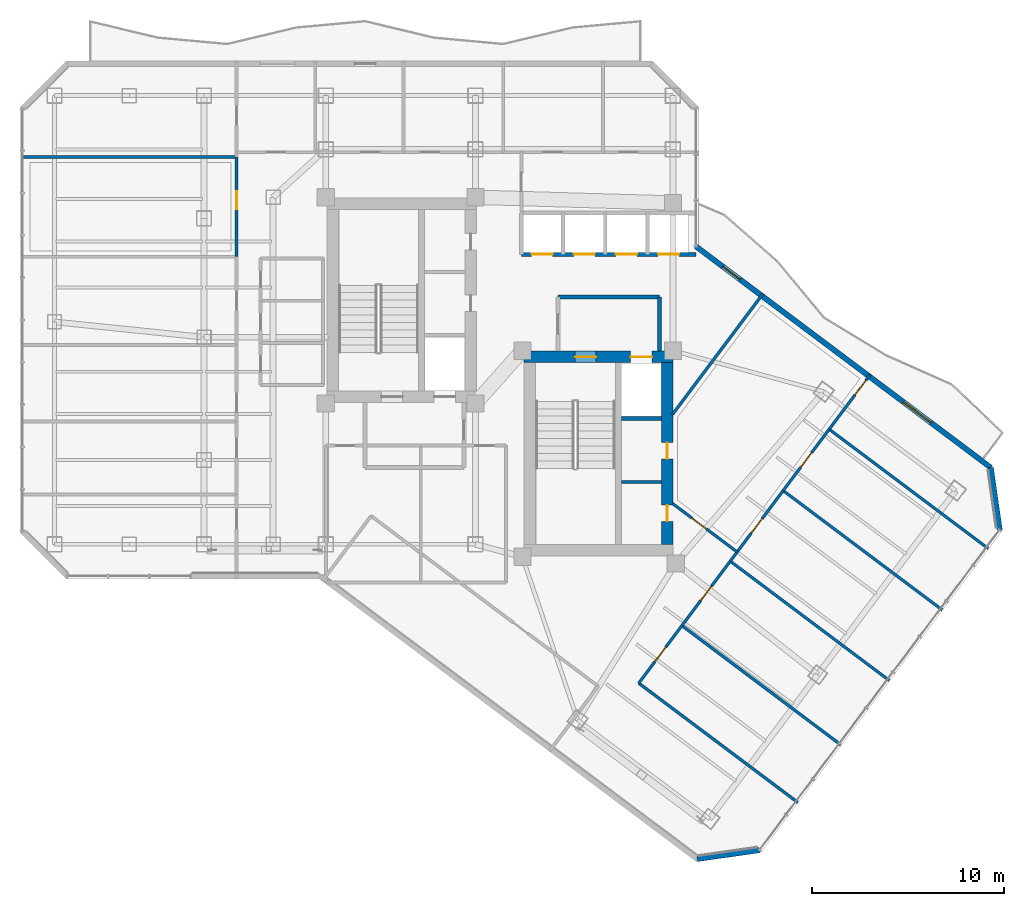
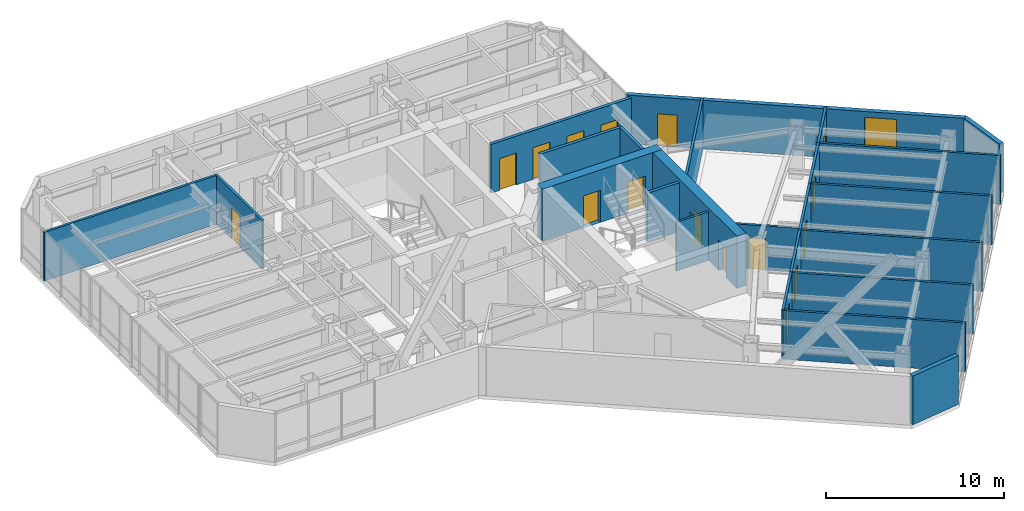
# One storey, part 23 of 27: 24 walls, 16 doors, 1 window, 17 openings.
"""IFC4 building model written with IfcOpenShell, lengths in metres."""

from ifc_helpers import new_model, si_unit, direction, frame, frame_2d, origin, place, context, subcontext, project, spatial, rectangle, extrude, material, layer, layer_set, type_object, element, fill, save


model = new_model("IFC4")

# Units and contexts
model_context = context("Model", 3, precision=1e-05, world=origin(), true_north=direction((0.0, 1.0)))
body_context = subcontext(model_context, "Body", "Model", "MODEL_VIEW")
ifc_project = project(units=[si_unit("LENGTHUNIT", "METRE"), si_unit("AREAUNIT", "SQUARE_METRE"), si_unit("VOLUMEUNIT", "CUBIC_METRE"), si_unit("PLANEANGLEUNIT", "RADIAN"), si_unit("MASSUNIT", "GRAM", prefix="KILO")], contexts=[model_context])

# Site, building, storey
site_placement = place(None, origin())
site = spatial("IfcSite", under=ifc_project, at=site_placement, CompositionType="ELEMENT")
building_placement = place(site_placement, origin())
building = spatial("IfcBuilding", under=site, at=building_placement, Name="Hatsunagi Terrace Concourse", CompositionType="ELEMENT")
storey_placement = place(building_placement, frame((0.0, 0.0, 167.25)))
storey = spatial("IfcBuildingStorey", under=building, at=storey_placement, Name="L44", CompositionType="ELEMENT", Elevation=167.25)

# Wall, openings, doors
ifc_material_1 = material(Name="Concrete Fc48", Category="concrete")
ifc_layer_1 = layer(ifc_material_1, 0.60009765625)
ifc_layer_set_1 = layer_set([ifc_layer_1], Name="CoreShearWall_Fc48_600")
wall_type_1 = type_object("IfcWallType", Name="CoreShearWall_Fc48_600", PredefinedType="SHEAR", material=ifc_layer_set_1)
wall_1_placement = place(storey_placement, frame((35.889892578125, 34.969970703125, 0.0), z_axis=(0.0, 0.0, 1.0), x_axis=(1.0, 0.0, 0.0)))
wall_1 = element("IfcWall", 1, at=wall_1_placement, inside=storey, type_object=wall_type_1, Name="Core B Shear Wall N L44", PredefinedType="SHEAR", context=body_context, shape_type="SweptSolid", body=[
    extrude(rectangle(XDim=7.760009765625, YDim=0.60009765625, at=frame_2d((3.8798828125, 0.0))), origin(), (0.0, 0.0, 1.0), 3.60009765625),
])
opening_1_placement = place(wall_1_placement, frame((2.659912109375, 0.0, 0.0)))
opening_1 = element("IfcOpeningElement", 2, at=opening_1_placement, cuts=wall_1, Name="Opening DR-110S", PredefinedType="OPENING", context=body_context, shape_type="SweptSolid", body=[
    extrude(rectangle(XDim=1.10009765625, YDim=2.199951171875, at=frame_2d((0.550048828125, 1.10009765625))), frame((0.0, 0.31005859375, 0.0), z_axis=(0.0, -1.0, 0.0), x_axis=(1.0, 0.0, 0.0)), (0.0, 0.0, 1.0), 0.6201171875),
])
opening_2_placement = place(wall_1_placement, frame((5.56005859375, 0.0, 0.0)))
opening_2 = element("IfcOpeningElement", 3, at=opening_2_placement, cuts=wall_1, Name="Opening LD-02", PredefinedType="OPENING", context=body_context, shape_type="SweptSolid", body=[
    extrude(rectangle(XDim=1.1201171875, YDim=2.14990234375, at=frame_2d((0.56005859375, 1.074951171875))), frame((0.0, 0.31005859375, 0.0), z_axis=(0.0, -1.0, 0.0), x_axis=(1.0, 0.0, 0.0)), (0.0, 0.0, 1.0), 0.6201171875),
])
ifc_material_2 = material(Name="Stainless steel", Category="steel")
door_type_1 = type_object("IfcDoorType", Name="LiftLandingDoor_LD02", OperationType="SLIDING_TO_RIGHT", PredefinedType="USERDEFINED", material=ifc_material_2)
door_1_placement = place(opening_2_placement, origin())
door_1 = element("IfcDoor", 4, at=door_1_placement, inside=storey, type_object=door_type_1, Name="Lift landing door FF-02 L44", ObjectType="SLIDING_LANDING_DOOR", OperationType="SLIDING_TO_RIGHT", OverallHeight=2.14990234375, OverallWidth=1.1201171875, PredefinedType="USERDEFINED", context=body_context, shape_type="SweptSolid", body=[
    extrude(rectangle(XDim=1.1201171875, YDim=2.14990234375, at=frame_2d((0.56005859375, 1.074951171875))), frame((0.0, 0.02490234375, 0.0), z_axis=(0.0, -1.0, 0.0), x_axis=(1.0, 0.0, 0.0)), (0.0, 0.0, 1.0), 0.050048828125),
])
fill(opening_2, door_1)
ifc_material_3 = material(Name="Painted steel", Category="steel")
door_type_2 = type_object("IfcDoorType", Name="StairFireDoor_EI60_1100", OperationType="NOTDEFINED", PredefinedType="DOOR", material=ifc_material_3)
door_2_placement = place(opening_1_placement, origin())
door_2 = element("IfcDoor", 5, at=door_2_placement, inside=storey, type_object=door_type_2, Name="Stair ST-B Exit Door L44", OperationType="SINGLE_SWING_RIGHT", OverallHeight=2.199951171875, OverallWidth=1.10009765625, PredefinedType="DOOR", context=body_context, shape_type="SweptSolid", body=[
    extrude(rectangle(XDim=1.10009765625, YDim=2.199951171875, at=frame_2d((0.550048828125, 1.10009765625))), frame((0.0, 0.02490234375, 0.0), z_axis=(0.0, -1.0, 0.0), x_axis=(1.0, 0.0, 0.0)), (0.0, 0.0, 1.0), 0.050048828125),
])
fill(opening_1, door_2)

wall_2_placement = place(storey_placement, frame((43.35009765625, 25.18994140625, 0.0), z_axis=(0.0, 0.0, 1.0), x_axis=(0.0, 1.0, 0.0)))
wall_2 = element("IfcWall", 6, at=wall_2_placement, inside=storey, type_object=wall_type_1, Name="Core B Shear Wall E L44", PredefinedType="SHEAR", context=body_context, shape_type="SweptSolid", body=[
    extrude(rectangle(XDim=9.47998046875, YDim=0.60009765625, at=frame_2d((4.739990234375, 0.0))), origin(), (0.0, 0.0, 1.0), 3.60009765625),
])
opening_3_placement = place(wall_2_placement, frame((1.2099609375, 0.0, 0.0)))
opening_3 = element("IfcOpeningElement", 7, at=opening_3_placement, cuts=wall_2, Name="Opening DR-085", PredefinedType="OPENING", context=body_context, shape_type="SweptSolid", body=[
    extrude(rectangle(XDim=0.85009765625, YDim=2.080078125, at=frame_2d((0.425048828125, 1.0400390625))), frame((0.0, 0.31005859375, 0.0), z_axis=(0.0, -1.0, 0.0), x_axis=(1.0, 0.0, 0.0)), (0.0, 0.0, 1.0), 0.6201171875),
])
opening_4_placement = place(wall_2_placement, frame((4.4599609375, 0.0, 0.0)))
opening_4 = element("IfcOpeningElement", 8, at=opening_4_placement, cuts=wall_2, Name="Opening DR-085", PredefinedType="OPENING", context=body_context, shape_type="SweptSolid", body=[
    extrude(rectangle(XDim=0.85009765625, YDim=2.080078125, at=frame_2d((0.425048828125, 1.0400390625))), frame((0.0, 0.31005859375, 0.0), z_axis=(0.0, -1.0, 0.0), x_axis=(1.0, 0.0, 0.0)), (0.0, 0.0, 1.0), 0.6201171875),
])
ifc_material_4 = material(Name="Painted steel", Category="steel")
door_type_3 = type_object("IfcDoorType", Name="RiserAccessDoor_EI60_850", OperationType="NOTDEFINED", PredefinedType="DOOR", material=ifc_material_4)
door_3_placement = place(opening_3_placement, origin())
door_3 = element("IfcDoor", 9, at=door_3_placement, inside=storey, type_object=door_type_3, Name="Core B Riser Door L44-1", OperationType="SINGLE_SWING_RIGHT", OverallHeight=2.080078125, OverallWidth=0.85009765625, PredefinedType="DOOR", context=body_context, shape_type="SweptSolid", body=[
    extrude(rectangle(XDim=0.85009765625, YDim=2.080078125, at=frame_2d((0.425048828125, 1.0400390625))), frame((0.0, 0.02490234375, 0.0), z_axis=(0.0, -1.0, 0.0), x_axis=(1.0, 0.0, 0.0)), (0.0, 0.0, 1.0), 0.050048828125),
])
fill(opening_3, door_3)
door_4_placement = place(opening_4_placement, origin())
door_4 = element("IfcDoor", 10, at=door_4_placement, inside=storey, type_object=door_type_3, Name="Core B Riser Door L44-2", OperationType="SINGLE_SWING_RIGHT", OverallHeight=2.080078125, OverallWidth=0.85009765625, PredefinedType="DOOR", context=body_context, shape_type="SweptSolid", body=[
    extrude(rectangle(XDim=0.85009765625, YDim=2.080078125, at=frame_2d((0.425048828125, 1.0400390625))), frame((0.0, 0.02490234375, 0.0), z_axis=(0.0, -1.0, 0.0), x_axis=(1.0, 0.0, 0.0)), (0.0, 0.0, 1.0), 0.050048828125),
])
fill(opening_4, door_4)

# Walls
ifc_material_5 = material(Name="Acoustic mineral board", Category="gypsum")
ifc_layer_2 = layer(ifc_material_5, 0.14990234375)
ifc_layer_set_2 = layer_set([ifc_layer_2], Name="PartitionWall_EI60_150")
wall_type_2 = type_object("IfcWallType", Name="PartitionWall_EI60_150", PredefinedType="PARTITIONING", material=ifc_layer_set_2)
wall_3_placement = place(storey_placement, frame((40.969970703125, 28.449951171875, 0.0), z_axis=(0.0, 0.0, 1.0), x_axis=(1.0, 0.0, 0.0)))
element("IfcWall", 11, at=wall_3_placement, inside=storey, type_object=wall_type_2, Name="Interior Partition IW-L44-004", PredefinedType="PARTITIONING", context=body_context, shape_type="SweptSolid", body=[
    extrude(rectangle(XDim=2.080078125, YDim=0.14990234375, at=frame_2d((1.0400390625, 0.0))), origin(), (0.0, 0.0, 1.0), 3.35009765625),
])
wall_4_placement = place(storey_placement, frame((9.639892578125, 45.39990234375, 0.0), z_axis=(0.0, 0.0, 1.0), x_axis=(1.0, 0.0, 0.0)))
element("IfcWall", 12, at=wall_4_placement, inside=storey, type_object=wall_type_2, Name="Interior Partition IW-L44-040", PredefinedType="PARTITIONING", context=body_context, shape_type="SweptSolid", body=[
    extrude(rectangle(XDim=11.260009765625, YDim=0.14990234375, at=frame_2d((5.6298828125, 0.0))), origin(), (0.0, 0.0, 1.0), 3.35009765625),
])

# Wall, opening, door
wall_5_placement = place(storey_placement, frame((20.89990234375, 40.199951171875, 0.0), z_axis=(0.0, 0.0, 1.0), x_axis=(0.0, 1.0, 0.0)))
wall_5 = element("IfcWall", 13, at=wall_5_placement, inside=storey, type_object=wall_type_2, Name="Interior Partition IW-L44-041", PredefinedType="PARTITIONING", context=body_context, shape_type="SweptSolid", body=[
    extrude(rectangle(XDim=5.199951171875, YDim=0.14990234375, at=frame_2d((2.60009765625, 0.0))), origin(), (0.0, 0.0, 1.0), 3.35009765625),
])
opening_5_placement = place(wall_5_placement, frame((2.47412109375, 0.0, 0.0)))
opening_5 = element("IfcOpeningElement", 14, at=opening_5_placement, cuts=wall_5, Name="Opening DR-095", PredefinedType="OPENING", context=body_context, shape_type="SweptSolid", body=[
    extrude(rectangle(XDim=0.949951171875, YDim=2.14990234375, at=frame_2d((0.47509765625, 1.074951171875))), frame((0.0, 0.0849609375, 0.0), z_axis=(0.0, -1.0, 0.0), x_axis=(1.0, 0.0, 0.0)), (0.0, 0.0, 1.0), 0.169921875),
])
ifc_material_6 = material(Name="Hardwood timber", Category="wood")
door_type_4 = type_object("IfcDoorType", Name="InteriorSuiteDoor_EI30_950", OperationType="NOTDEFINED", PredefinedType="DOOR", material=ifc_material_6)
door_5_placement = place(opening_5_placement, origin())
door_5 = element("IfcDoor", 15, at=door_5_placement, inside=storey, type_object=door_type_4, Name="Executive Office L44-OW5 Door", OperationType="SINGLE_SWING_LEFT", OverallHeight=2.14990234375, OverallWidth=0.949951171875, PredefinedType="DOOR", context=body_context, shape_type="SweptSolid", body=[
    extrude(rectangle(XDim=0.949951171875, YDim=2.14990234375, at=frame_2d((0.47509765625, 1.074951171875))), frame((0.0, 0.02490234375, 0.0), z_axis=(0.0, -1.0, 0.0), x_axis=(1.0, 0.0, 0.0)), (0.0, 0.0, 1.0), 0.050048828125),
])
fill(opening_5, door_5)

# Walls
for number, where, z_axis, x_axis, name in (
    (16, (41.8701171875, 17.9599609375, 0.0), (0.0, 0.0, 1.0), (0.799991516197, -0.600011311571, 0.0), "Interior Partition IW-L44-052"),
    (17, (44.1201171875, 20.9599609375, 0.0), (0.0, 0.0, 1.0), (0.799991516197, -0.600011311571, 0.0), "Interior Partition IW-L44-053"),
):
    element("IfcWall", number, at=place(storey_placement, frame(where, z_axis=z_axis, x_axis=x_axis)), inside=storey, type_object=wall_type_2, Name=name, PredefinedType="PARTITIONING", context=body_context, shape_type="SweptSolid", body=[
        extrude(rectangle(XDim=10.35986328125, YDim=0.14990234375, at=frame_2d((5.179931640625, 0.0))), origin(), (0.0, 0.0, 1.0), 3.35009765625),
    ])

# Wall, opening, door
wall_6_placement = place(storey_placement, frame((41.8701171875, 17.9599609375, 0.0), z_axis=(0.0, 0.0, 1.0), x_axis=(0.6, 0.8, 0.0)))
wall_6 = element("IfcWall", 18, at=wall_6_placement, inside=storey, type_object=wall_type_2, Name="Interior Partition IW-L44-054", PredefinedType="PARTITIONING", context=body_context, shape_type="SweptSolid", body=[
    extrude(rectangle(XDim=3.75, YDim=0.14990234375, at=frame_2d((1.875, 0.0))), origin(), (0.0, 0.0, 1.0), 3.35009765625),
])
opening_6_placement = place(wall_6_placement, frame((1.39990234375, 0.0, 0.0)))
opening_6 = element("IfcOpeningElement", 19, at=opening_6_placement, cuts=wall_6, Name="Opening DR-095", PredefinedType="OPENING", context=body_context, shape_type="SweptSolid", body=[
    extrude(rectangle(XDim=0.949951171875, YDim=2.14990234375, at=frame_2d((0.47509765625, 1.074951171875))), frame((0.0, 0.0849609375, 0.0), z_axis=(0.0, -1.0, 0.0), x_axis=(1.0, 0.0, 0.0)), (0.0, 0.0, 1.0), 0.169921875),
])
door_6_placement = place(opening_6_placement, origin())
door_6 = element("IfcDoor", 20, at=door_6_placement, inside=storey, type_object=door_type_4, Name="Focus Room L44-OSE1 Door", OperationType="SINGLE_SWING_RIGHT", OverallHeight=2.14990234375, OverallWidth=0.949951171875, PredefinedType="DOOR", context=body_context, shape_type="SweptSolid", body=[
    extrude(rectangle(XDim=0.949951171875, YDim=2.14990234375, at=frame_2d((0.47509765625, 1.074951171875))), frame((0.0, 0.02490234375, 0.0), z_axis=(0.0, -1.0, 0.0), x_axis=(1.0, 0.0, 0.0)), (0.0, 0.0, 1.0), 0.050048828125),
])
fill(opening_6, door_6)

# Wall
wall_7_placement = place(storey_placement, frame((46.639892578125, 24.320068359375, 0.0), z_axis=(0.0, 0.0, 1.0), x_axis=(0.8, -0.6, 0.0)))
element("IfcWall", 21, at=wall_7_placement, inside=storey, type_object=wall_type_2, Name="Interior Partition IW-L44-055", PredefinedType="PARTITIONING", context=body_context, shape_type="SweptSolid", body=[
    extrude(rectangle(XDim=10.360107421875, YDim=0.14990234375, at=frame_2d((5.18017578125, 0.0))), origin(), (0.0, 0.0, 1.0), 3.35009765625),
])

# Wall, opening, door
wall_8_placement = place(storey_placement, frame((44.1201171875, 20.9599609375, 0.0), z_axis=(0.0, 0.0, 1.0), x_axis=(0.59995349547, 0.800034876286, 0.0)))
wall_8 = element("IfcWall", 22, at=wall_8_placement, inside=storey, type_object=wall_type_2, Name="Interior Partition IW-L44-056", PredefinedType="PARTITIONING", context=body_context, shape_type="SweptSolid", body=[
    extrude(rectangle(XDim=4.199951171875, YDim=0.14990234375, at=frame_2d((2.10009765625, 0.0))), origin(), (0.0, 0.0, 1.0), 3.35009765625),
])
opening_7_placement = place(wall_8_placement, frame((1.625, 0.0, 0.0)))
opening_7 = element("IfcOpeningElement", 23, at=opening_7_placement, cuts=wall_8, Name="Opening DR-095", PredefinedType="OPENING", context=body_context, shape_type="SweptSolid", body=[
    extrude(rectangle(XDim=0.949951171875, YDim=2.14990234375, at=frame_2d((0.47509765625, 1.074951171875))), frame((0.0, 0.0849609375, 0.0), z_axis=(0.0, -1.0, 0.0), x_axis=(1.0, 0.0, 0.0)), (0.0, 0.0, 1.0), 0.169921875),
])
door_7_placement = place(opening_7_placement, origin())
door_7 = element("IfcDoor", 24, at=door_7_placement, inside=storey, type_object=door_type_4, Name="Executive Office L44-OSE2 Door", OperationType="SINGLE_SWING_RIGHT", OverallHeight=2.14990234375, OverallWidth=0.949951171875, PredefinedType="DOOR", context=body_context, shape_type="SweptSolid", body=[
    extrude(rectangle(XDim=0.949951171875, YDim=2.14990234375, at=frame_2d((0.47509765625, 1.074951171875))), frame((0.0, 0.02490234375, 0.0), z_axis=(0.0, -1.0, 0.0), x_axis=(1.0, 0.0, 0.0)), (0.0, 0.0, 1.0), 0.050048828125),
])
fill(opening_7, door_7)

# Wall
wall_9_placement = place(storey_placement, frame((49.39990234375, 28.0, 0.0), z_axis=(0.0, 0.0, 1.0), x_axis=(0.8, -0.6, 0.0)))
element("IfcWall", 25, at=wall_9_placement, inside=storey, type_object=wall_type_2, Name="Interior Partition IW-L44-057", PredefinedType="PARTITIONING", context=body_context, shape_type="SweptSolid", body=[
    extrude(rectangle(XDim=10.360107421875, YDim=0.14990234375, at=frame_2d((5.18017578125, 0.0))), origin(), (0.0, 0.0, 1.0), 3.35009765625),
])

# Wall, opening, door
wall_10_placement = place(storey_placement, frame((46.639892578125, 24.320068359375, 0.0), z_axis=(0.0, 0.0, 1.0), x_axis=(0.600008491904, 0.799993631001, 0.0)))
wall_10 = element("IfcWall", 26, at=wall_10_placement, inside=storey, type_object=wall_type_2, Name="Interior Partition IW-L44-058", PredefinedType="PARTITIONING", context=body_context, shape_type="SweptSolid", body=[
    extrude(rectangle(XDim=4.599853515625, YDim=0.14990234375, at=frame_2d((2.2998046875, 0.0))), origin(), (0.0, 0.0, 1.0), 3.35009765625),
])
opening_8_placement = place(wall_10_placement, frame((1.824951171875, 0.0, 0.0)))
opening_8 = element("IfcOpeningElement", 27, at=opening_8_placement, cuts=wall_10, Name="Opening DR-095", PredefinedType="OPENING", context=body_context, shape_type="SweptSolid", body=[
    extrude(rectangle(XDim=0.949951171875, YDim=2.14990234375, at=frame_2d((0.47509765625, 1.074951171875))), frame((0.0, 0.0849609375, 0.0), z_axis=(0.0, -1.0, 0.0), x_axis=(1.0, 0.0, 0.0)), (0.0, 0.0, 1.0), 0.169921875),
])
door_8_placement = place(opening_8_placement, origin())
door_8 = element("IfcDoor", 28, at=door_8_placement, inside=storey, type_object=door_type_4, Name="Focus Room L44-OSE3 Door", OperationType="SINGLE_SWING_RIGHT", OverallHeight=2.14990234375, OverallWidth=0.949951171875, PredefinedType="DOOR", context=body_context, shape_type="SweptSolid", body=[
    extrude(rectangle(XDim=0.949951171875, YDim=2.14990234375, at=frame_2d((0.47509765625, 1.074951171875))), frame((0.0, 0.02490234375, 0.0), z_axis=(0.0, -1.0, 0.0), x_axis=(1.0, 0.0, 0.0)), (0.0, 0.0, 1.0), 0.050048828125),
])
fill(opening_8, door_8)

# Wall
wall_11_placement = place(storey_placement, frame((51.800048828125, 31.199951171875, 0.0), z_axis=(0.0, 0.0, 1.0), x_axis=(0.799991516197, -0.600011311571, 0.0)))
element("IfcWall", 29, at=wall_11_placement, inside=storey, type_object=wall_type_2, Name="Interior Partition IW-L44-059", PredefinedType="PARTITIONING", context=body_context, shape_type="SweptSolid", body=[
    extrude(rectangle(XDim=10.35986328125, YDim=0.14990234375, at=frame_2d((5.179931640625, 0.0))), origin(), (0.0, 0.0, 1.0), 3.35009765625),
])

# Wall, opening, door
wall_12_placement = place(storey_placement, frame((49.39990234375, 28.0, 0.0), z_axis=(0.0, 0.0, 1.0), x_axis=(0.600029296115, 0.799978027076, 0.0)))
wall_12 = element("IfcWall", 30, at=wall_12_placement, inside=storey, type_object=wall_type_2, Name="Interior Partition IW-L44-060", PredefinedType="PARTITIONING", context=body_context, shape_type="SweptSolid", body=[
    extrude(rectangle(XDim=4.0, YDim=0.14990234375, at=frame_2d((2.0, 0.0))), origin(), (0.0, 0.0, 1.0), 3.35009765625),
])
opening_9_placement = place(wall_12_placement, frame((1.52490234375, 0.0, 0.0)))
opening_9 = element("IfcOpeningElement", 31, at=opening_9_placement, cuts=wall_12, Name="Opening DR-095", PredefinedType="OPENING", context=body_context, shape_type="SweptSolid", body=[
    extrude(rectangle(XDim=0.949951171875, YDim=2.14990234375, at=frame_2d((0.47509765625, 1.074951171875))), frame((0.0, 0.0849609375, 0.0), z_axis=(0.0, -1.0, 0.0), x_axis=(1.0, 0.0, 0.0)), (0.0, 0.0, 1.0), 0.169921875),
])
door_9_placement = place(opening_9_placement, origin())
door_9 = element("IfcDoor", 32, at=door_9_placement, inside=storey, type_object=door_type_4, Name="Executive Office L44-OSE4 Door", OperationType="SINGLE_SWING_RIGHT", OverallHeight=2.14990234375, OverallWidth=0.949951171875, PredefinedType="DOOR", context=body_context, shape_type="SweptSolid", body=[
    extrude(rectangle(XDim=0.949951171875, YDim=2.14990234375, at=frame_2d((0.47509765625, 1.074951171875))), frame((0.0, 0.02490234375, 0.0), z_axis=(0.0, -1.0, 0.0), x_axis=(1.0, 0.0, 0.0)), (0.0, 0.0, 1.0), 0.050048828125),
])
fill(opening_9, door_9)

wall_13_placement = place(storey_placement, frame((51.800048828125, 31.199951171875, 0.0), z_axis=(0.0, 0.0, 1.0), x_axis=(0.599978055212, 0.800016458121, 0.0)))
wall_13 = element("IfcWall", 33, at=wall_13_placement, inside=storey, type_object=wall_type_2, Name="Interior Partition IW-L44-061", PredefinedType="PARTITIONING", context=body_context, shape_type="SweptSolid", body=[
    extrude(rectangle(XDim=3.56005859375, YDim=0.14990234375, at=frame_2d((1.780029296875, 0.0))), origin(), (0.0, 0.0, 1.0), 3.35009765625),
])
opening_10_placement = place(wall_13_placement, frame((2.22998046875, 0.0, 0.0)))
opening_10 = element("IfcOpeningElement", 34, at=opening_10_placement, cuts=wall_13, Name="Opening DR-095", PredefinedType="OPENING", context=body_context, shape_type="SweptSolid", body=[
    extrude(rectangle(XDim=0.949951171875, YDim=2.14990234375, at=frame_2d((0.47509765625, 1.074951171875))), frame((0.0, 0.0849609375, 0.0), z_axis=(0.0, -1.0, 0.0), x_axis=(1.0, 0.0, 0.0)), (0.0, 0.0, 1.0), 0.169921875),
])
door_10_placement = place(opening_10_placement, origin())
door_10 = element("IfcDoor", 35, at=door_10_placement, inside=storey, type_object=door_type_4, Name="Focus Room L44-OSE5 Door", OperationType="SINGLE_SWING_RIGHT", OverallHeight=2.14990234375, OverallWidth=0.949951171875, PredefinedType="DOOR", context=body_context, shape_type="SweptSolid", body=[
    extrude(rectangle(XDim=0.949951171875, YDim=2.14990234375, at=frame_2d((0.47509765625, 1.074951171875))), frame((0.0, 0.02490234375, 0.0), z_axis=(0.0, -1.0, 0.0), x_axis=(1.0, 0.0, 0.0)), (0.0, 0.0, 1.0), 0.050048828125),
])
fill(opening_10, door_10)

wall_14_placement = place(storey_placement, frame((43.6298828125, 27.327880859375, 0.0), z_axis=(0.0, 0.0, 1.0), x_axis=(0.799972182084, -0.600037088764, 0.0)))
wall_14 = element("IfcWall", 36, at=wall_14_placement, inside=storey, type_object=wall_type_2, Name="Interior Partition IW-L44-062", PredefinedType="PARTITIONING", context=body_context, shape_type="SweptSolid", body=[
    extrude(rectangle(XDim=4.212890625, YDim=0.14990234375, at=frame_2d((2.1064453125, 0.0))), origin(), (0.0, 0.0, 1.0), 3.044921875),
])
opening_11_placement = place(wall_14_placement, frame((1.256103515625, 0.0, 0.0)))
opening_11 = element("IfcOpeningElement", 37, at=opening_11_placement, cuts=wall_14, Name="Opening DR-095", PredefinedType="OPENING", context=body_context, shape_type="SweptSolid", body=[
    extrude(rectangle(XDim=0.949951171875, YDim=2.14990234375, at=frame_2d((0.47509765625, 1.074951171875))), frame((0.0, 0.0849609375, 0.0), z_axis=(0.0, -1.0, 0.0), x_axis=(1.0, 0.0, 0.0)), (0.0, 0.0, 1.0), 0.169921875),
])
door_11_placement = place(opening_11_placement, origin())
door_11 = element("IfcDoor", 38, at=door_11_placement, inside=storey, type_object=door_type_4, Name="Collaboration Lounge L44-OSEN0 Door", OperationType="SINGLE_SWING_LEFT", OverallHeight=2.14990234375, OverallWidth=0.949951171875, PredefinedType="DOOR", context=body_context, shape_type="SweptSolid", body=[
    extrude(rectangle(XDim=0.949951171875, YDim=2.14990234375, at=frame_2d((0.47509765625, 1.074951171875))), frame((0.0, 0.02490234375, 0.0), z_axis=(0.0, -1.0, 0.0), x_axis=(1.0, 0.0, 0.0)), (0.0, 0.0, 1.0), 0.050048828125),
])
fill(opening_11, door_11)

# Walls
wall_15_placement = place(storey_placement, frame((43.6298828125, 31.972900390625, 0.0), z_axis=(0.0, 0.0, 1.0), x_axis=(0.599975099311, 0.800018674911, 0.0)))
element("IfcWall", 39, at=wall_15_placement, inside=storey, type_object=wall_type_2, Name="Interior Partition IW-L44-063", PredefinedType="PARTITIONING", context=body_context, shape_type="SweptSolid", body=[
    extrude(rectangle(XDim=7.84375, YDim=0.14990234375, at=frame_2d((3.921875, 0.0))), origin(), (0.0, 0.0, 1.0), 3.35009765625),
])
ifc_material_7 = material(Name="Acoustic mineral board", Category="gypsum")
ifc_layer_3 = layer(ifc_material_7, 0.199951171875)
ifc_layer_set_3 = layer_set([ifc_layer_3], Name="ShaftWall_EI120_200")
wall_type_3 = type_object("IfcWallType", Name="ShaftWall_EI120_200", PredefinedType="STANDARD", material=ifc_layer_set_3)
wall_16_placement = place(storey_placement, frame((40.969970703125, 31.760009765625, 0.0), z_axis=(0.0, 0.0, 1.0), x_axis=(1.0, 0.0, 0.0)))
element("IfcWall", 40, at=wall_16_placement, inside=storey, type_object=wall_type_3, Name="Interior Partition IW-L44-003", PredefinedType="STANDARD", context=body_context, shape_type="SweptSolid", body=[
    extrude(rectangle(XDim=2.080078125, YDim=0.199951171875, at=frame_2d((1.0400390625, 0.0))), origin(), (0.0, 0.0, 1.0), 3.35009765625),
])
wall_17_placement = place(storey_placement, frame((37.64990234375, 38.10009765625, 0.0), z_axis=(0.0, 0.0, 1.0), x_axis=(1.0, 0.0, 0.0)))
element("IfcWall", 41, at=wall_17_placement, inside=storey, type_object=wall_type_3, Name="Interior Partition IW-L44-008", PredefinedType="STANDARD", context=body_context, shape_type="SweptSolid", body=[
    extrude(rectangle(XDim=5.300048828125, YDim=0.199951171875, at=frame_2d((2.64990234375, 0.0))), origin(), (0.0, 0.0, 1.0), 3.35009765625),
])
wall_18_placement = place(storey_placement, frame((42.949951171875, 35.27001953125, 0.0), z_axis=(0.0, 0.0, 1.0), x_axis=(0.0, 1.0, 0.0)))
element("IfcWall", 42, at=wall_18_placement, inside=storey, type_object=wall_type_3, Name="Interior Partition IW-L44-009", PredefinedType="STANDARD", context=body_context, shape_type="SweptSolid", body=[
    extrude(rectangle(XDim=2.830078125, YDim=0.199951171875, at=frame_2d((1.4150390625, 0.0))), origin(), (0.0, 0.0, 1.0), 3.35009765625),
])

# Wall, openings, doors
wall_19_placement = place(storey_placement, frame((35.75, 40.320068359375, 0.0), z_axis=(0.0, 0.0, 1.0), x_axis=(1.0, 0.0, 0.0)))
wall_19 = element("IfcWall", 43, at=wall_19_placement, inside=storey, type_object=wall_type_3, Name="Interior Partition IW-L44-016", PredefinedType="STANDARD", context=body_context, shape_type="SweptSolid", body=[
    extrude(rectangle(XDim=9.110107421875, YDim=0.199951171875, at=frame_2d((4.55517578125, 0.0))), origin(), (0.0, 0.0, 1.0), 3.35009765625),
])
opening_12_placement = place(wall_19_placement, frame((0.530029296875, 0.0, 0.0)))
opening_12 = element("IfcOpeningElement", 44, at=opening_12_placement, cuts=wall_19, Name="Opening LD-04", PredefinedType="OPENING", context=body_context, shape_type="SweptSolid", body=[
    extrude(rectangle(XDim=1.10009765625, YDim=2.179931640625, at=frame_2d((0.550048828125, 1.08984375))), frame((0.0, 0.10986328125, 0.0), z_axis=(0.0, -1.0, 0.0), x_axis=(1.0, 0.0, 0.0)), (0.0, 0.0, 1.0), 0.219970703125),
])
opening_13_placement = place(wall_19_placement, frame((2.72998046875, 0.0, 0.0)))
opening_13 = element("IfcOpeningElement", 45, at=opening_13_placement, cuts=wall_19, Name="Opening LD-04", PredefinedType="OPENING", context=body_context, shape_type="SweptSolid", body=[
    extrude(rectangle(XDim=1.10009765625, YDim=2.179931640625, at=frame_2d((0.550048828125, 1.08984375))), frame((0.0, 0.10986328125, 0.0), z_axis=(0.0, -1.0, 0.0), x_axis=(1.0, 0.0, 0.0)), (0.0, 0.0, 1.0), 0.219970703125),
])
opening_14_placement = place(wall_19_placement, frame((4.929931640625, 0.0, 0.0)))
opening_14 = element("IfcOpeningElement", 46, at=opening_14_placement, cuts=wall_19, Name="Opening LD-04", PredefinedType="OPENING", context=body_context, shape_type="SweptSolid", body=[
    extrude(rectangle(XDim=1.10009765625, YDim=2.179931640625, at=frame_2d((0.550048828125, 1.08984375))), frame((0.0, 0.10986328125, 0.0), z_axis=(0.0, -1.0, 0.0), x_axis=(1.0, 0.0, 0.0)), (0.0, 0.0, 1.0), 0.219970703125),
])
opening_15_placement = place(wall_19_placement, frame((7.1298828125, 0.0, 0.0)))
opening_15 = element("IfcOpeningElement", 47, at=opening_15_placement, cuts=wall_19, Name="Opening LD-04", PredefinedType="OPENING", context=body_context, shape_type="SweptSolid", body=[
    extrude(rectangle(XDim=1.10009765625, YDim=2.179931640625, at=frame_2d((0.550048828125, 1.08984375))), frame((0.0, 0.10986328125, 0.0), z_axis=(0.0, -1.0, 0.0), x_axis=(1.0, 0.0, 0.0)), (0.0, 0.0, 1.0), 0.219970703125),
])
ifc_material_8 = material(Name="Stainless steel", Category="steel")
door_type_5 = type_object("IfcDoorType", Name="LiftLandingDoor_LD04", OperationType="SLIDING_TO_RIGHT", PredefinedType="USERDEFINED", material=ifc_material_8)
door_12_placement = place(opening_12_placement, origin())
door_12 = element("IfcDoor", 48, at=door_12_placement, inside=storey, type_object=door_type_5, Name="Lift landing door PL-05 L44", ObjectType="SLIDING_LANDING_DOOR", OperationType="SLIDING_TO_RIGHT", OverallHeight=2.179931640625, OverallWidth=1.10009765625, PredefinedType="USERDEFINED", context=body_context, shape_type="SweptSolid", body=[
    extrude(rectangle(XDim=1.10009765625, YDim=2.179931640625, at=frame_2d((0.550048828125, 1.08984375))), frame((0.0, 0.02490234375, 0.0), z_axis=(0.0, -1.0, 0.0), x_axis=(1.0, 0.0, 0.0)), (0.0, 0.0, 1.0), 0.050048828125),
])
fill(opening_12, door_12)
door_13_placement = place(opening_13_placement, origin())
door_13 = element("IfcDoor", 49, at=door_13_placement, inside=storey, type_object=door_type_5, Name="Lift landing door PL-06 L44", ObjectType="SLIDING_LANDING_DOOR", OperationType="SLIDING_TO_RIGHT", OverallHeight=2.179931640625, OverallWidth=1.10009765625, PredefinedType="USERDEFINED", context=body_context, shape_type="SweptSolid", body=[
    extrude(rectangle(XDim=1.10009765625, YDim=2.179931640625, at=frame_2d((0.550048828125, 1.08984375))), frame((0.0, 0.02490234375, 0.0), z_axis=(0.0, -1.0, 0.0), x_axis=(1.0, 0.0, 0.0)), (0.0, 0.0, 1.0), 0.050048828125),
])
fill(opening_13, door_13)
door_14_placement = place(opening_14_placement, origin())
door_14 = element("IfcDoor", 50, at=door_14_placement, inside=storey, type_object=door_type_5, Name="Lift landing door PL-07 L44", ObjectType="SLIDING_LANDING_DOOR", OperationType="SLIDING_TO_RIGHT", OverallHeight=2.179931640625, OverallWidth=1.10009765625, PredefinedType="USERDEFINED", context=body_context, shape_type="SweptSolid", body=[
    extrude(rectangle(XDim=1.10009765625, YDim=2.179931640625, at=frame_2d((0.550048828125, 1.08984375))), frame((0.0, 0.02490234375, 0.0), z_axis=(0.0, -1.0, 0.0), x_axis=(1.0, 0.0, 0.0)), (0.0, 0.0, 1.0), 0.050048828125),
])
fill(opening_14, door_14)
door_15_placement = place(opening_15_placement, origin())
door_15 = element("IfcDoor", 51, at=door_15_placement, inside=storey, type_object=door_type_5, Name="Lift landing door PL-08 L44", ObjectType="SLIDING_LANDING_DOOR", OperationType="SLIDING_TO_RIGHT", OverallHeight=2.179931640625, OverallWidth=1.10009765625, PredefinedType="USERDEFINED", context=body_context, shape_type="SweptSolid", body=[
    extrude(rectangle(XDim=1.10009765625, YDim=2.179931640625, at=frame_2d((0.550048828125, 1.08984375))), frame((0.0, 0.02490234375, 0.0), z_axis=(0.0, -1.0, 0.0), x_axis=(1.0, 0.0, 0.0)), (0.0, 0.0, 1.0), 0.050048828125),
])
fill(opening_15, door_15)

# Wall, openings, door, window
ifc_material_9 = material(Name="Autoclaved Lightweight Concrete and Terracotta Cladding", Category="masonry")
ifc_layer_4 = layer(ifc_material_9, 0.280029296875)
ifc_layer_set_4 = layer_set([ifc_layer_4], Name="TerracottaSpandrelWall_280")
wall_type_4 = type_object("IfcWallType", Name="TerracottaSpandrelWall_280", PredefinedType="STANDARD", material=ifc_layer_set_4)
wall_20_placement = place(storey_placement, frame((44.860107421875, 40.72998046875, 0.0), z_axis=(0.0, 0.0, 1.0), x_axis=(0.800007624502, -0.599989833863, 0.0)))
wall_20 = element("IfcWall", 52, at=wall_20_placement, inside=storey, type_object=wall_type_4, Name="Exterior Spandrel Wall EW-L44-01", PredefinedType="STANDARD", context=body_context, shape_type="SweptSolid", body=[
    extrude(rectangle(XDim=19.212158203125, YDim=0.280029296875, at=frame_2d((9.60595703125, 0.0))), origin(), (0.0, 0.0, 1.0), 3.35009765625),
])
opening_16_placement = place(wall_20_placement, frame((1.7548828125, 0.0, 0.0)))
opening_16 = element("IfcOpeningElement", 53, at=opening_16_placement, cuts=wall_20, Name="Opening BD-01", PredefinedType="OPENING", context=body_context, shape_type="SweptSolid", body=[
    extrude(rectangle(XDim=1.10009765625, YDim=2.199951171875, at=frame_2d((0.550048828125, 1.10009765625))), frame((0.0, 0.14990234375, 0.0), z_axis=(0.0, -1.0, 0.0), x_axis=(1.0, 0.0, 0.0)), (0.0, 0.0, 1.0), 0.300048828125),
])
opening_17_placement = place(wall_20_placement, frame((13.509033203125, 0.0, 0.85009765625)))
opening_17 = element("IfcOpeningElement", 54, at=opening_17_placement, cuts=wall_20, Name="Opening WIN-03", PredefinedType="OPENING", context=body_context, shape_type="SweptSolid", body=[
    extrude(rectangle(XDim=1.800048828125, YDim=2.10009765625, at=frame_2d((0.89990234375, 1.050048828125))), frame((0.0, 0.14990234375, 0.0), z_axis=(0.0, -1.0, 0.0), x_axis=(1.0, 0.0, 0.0)), (0.0, 0.0, 1.0), 0.300048828125),
])
ifc_material_10 = material(Name="Galvanised Steel and Laminated Safety Glass", Category="steel")
door_type_6 = type_object("IfcDoorType", Name="BalconyTerraceAccessDoor_1100x2200", OperationType="SINGLE_SWING_LEFT", PredefinedType="DOOR", material=ifc_material_10)
door_16_placement = place(opening_16_placement, origin())
door_16 = element("IfcDoor", 55, at=door_16_placement, inside=storey, type_object=door_type_6, Name="Engawa Balcony Door L44-BSE", OperationType="SINGLE_SWING_LEFT", OverallHeight=2.199951171875, OverallWidth=1.10009765625, PredefinedType="DOOR", context=body_context, shape_type="SweptSolid", body=[
    extrude(rectangle(XDim=1.10009765625, YDim=2.199951171875, at=frame_2d((0.550048828125, 1.10009765625))), frame((0.0, 0.02490234375, 0.0), z_axis=(0.0, -1.0, 0.0), x_axis=(1.0, 0.0, 0.0)), (0.0, 0.0, 1.0), 0.050048828125),
])
fill(opening_16, door_16)
ifc_material_11 = material(Name="Thermally Broken Aluminium and Low-E Triple Glazing", Category="aluminium")
window_type = type_object("IfcWindowType", Name="OfficeCornerFeatureWindow_1800x2100", PartitioningType="SINGLE_PANEL", PredefinedType="WINDOW", material=ifc_material_11)
window_placement = place(opening_17_placement, origin())
window = element("IfcWindow", 56, at=window_placement, inside=storey, type_object=window_type, Name="Balcony Daylighting Window L44-01-2", OverallHeight=2.10009765625, OverallWidth=1.800048828125, PartitioningType="SINGLE_PANEL", PredefinedType="WINDOW", context=body_context, shape_type="SweptSolid", body=[
    extrude(rectangle(XDim=1.800048828125, YDim=2.10009765625, at=frame_2d((0.89990234375, 1.050048828125))), frame((0.0, 0.030029296875, 0.0), z_axis=(0.0, -1.0, 0.0), x_axis=(1.0, 0.0, 0.0)), (0.0, 0.0, 1.0), 0.06005859375),
])
fill(opening_17, window)

# Walls
wall_21_placement = place(storey_placement, frame((60.22998046875, 29.202880859375, 0.0), z_axis=(0.0, 0.0, 1.0), x_axis=(0.141296221922, -0.989967361922, 0.0)))
element("IfcWall", 57, at=wall_21_placement, inside=storey, type_object=wall_type_4, Name="Exterior Spandrel Wall EW-L44-02", PredefinedType="STANDARD", context=body_context, shape_type="SweptSolid", body=[
    extrude(rectangle(XDim=3.27783203125, YDim=0.280029296875, at=frame_2d((1.638916015625, 0.0))), origin(), (0.0, 0.0, 1.0), 3.35009765625),
])
wall_22_placement = place(storey_placement, frame((48.1630859375, 9.25, 0.0), z_axis=(0.0, 0.0, 1.0), x_axis=(-0.989979263428, -0.141212810973, 0.0)))
element("IfcWall", 58, at=wall_22_placement, inside=storey, type_object=wall_type_4, Name="Exterior Spandrel Wall EW-L44-04", PredefinedType="STANDARD", context=body_context, shape_type="SweptSolid", body=[
    extrude(rectangle(XDim=3.278076171875, YDim=0.280029296875, at=frame_2d((1.63916015625, 0.0))), origin(), (0.0, 0.0, 1.0), 3.35009765625),
])

save(model, "model.ifc")
